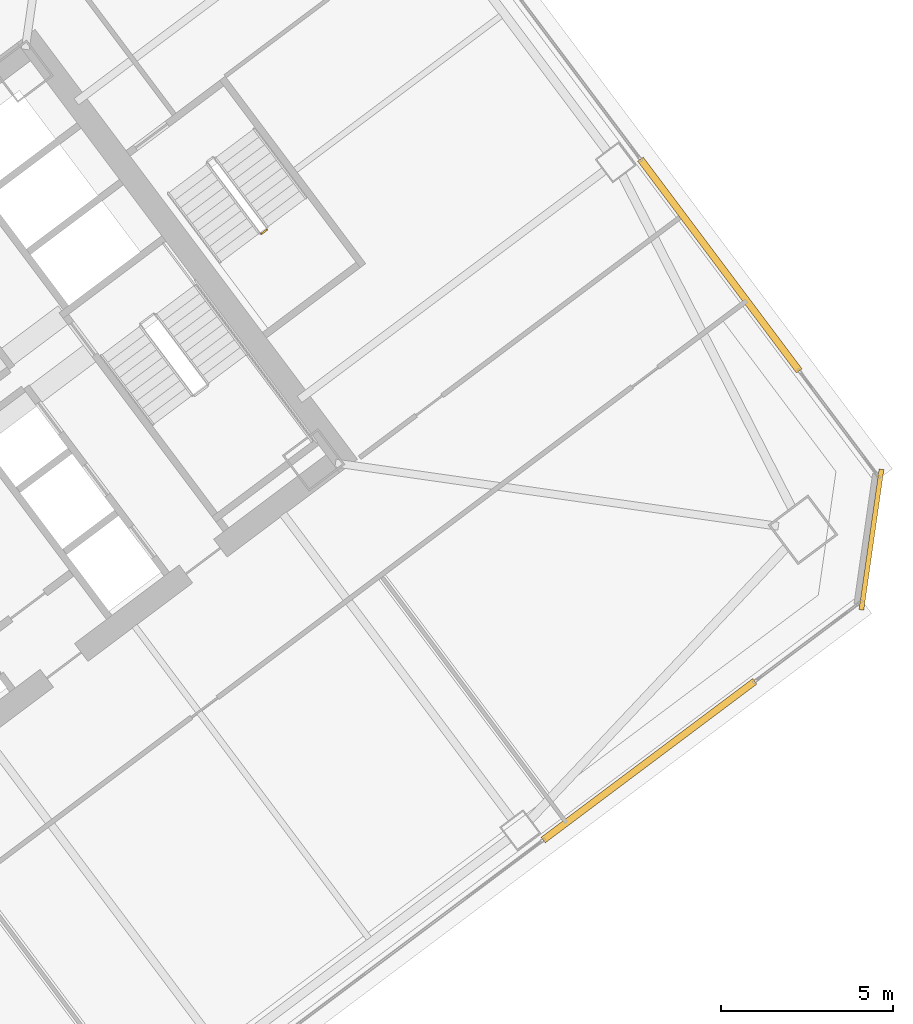
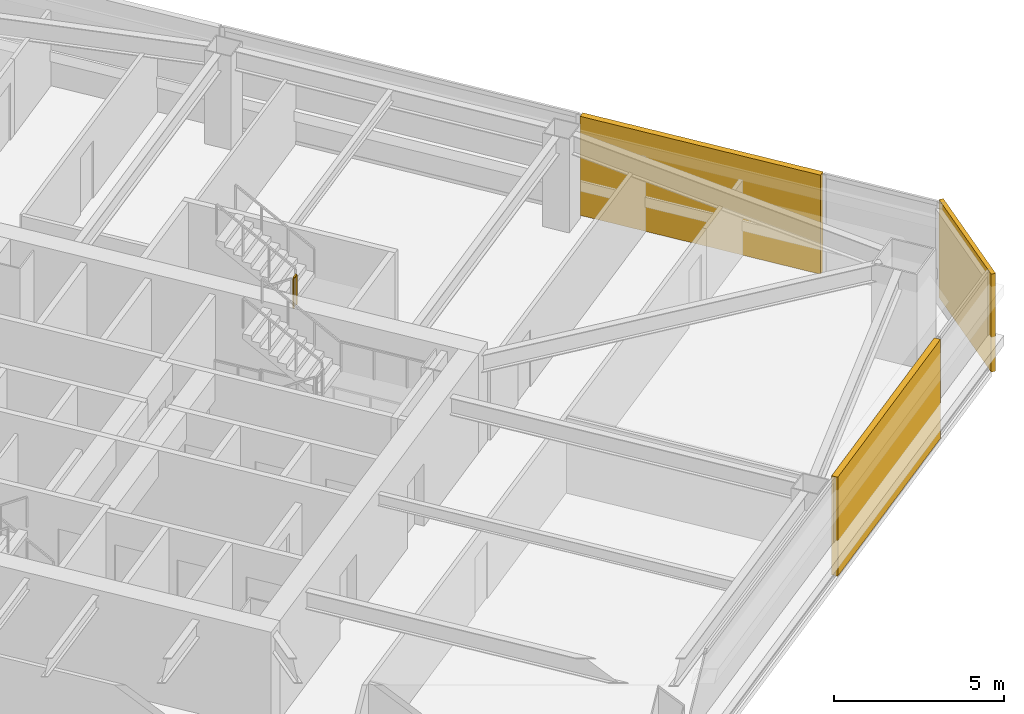
# One storey, part 42 of 44: 3 coverings, 1 railing.
"""IFC4 building model written with IfcOpenShell, lengths in metres."""

from ifc_helpers import new_model, si_unit, direction, frame, origin, origin_2d, place, context, subcontext, project, spatial, rectangle, extrude, material, layer, layer_set, type_object, element, save


model = new_model("IFC4")

# Units and contexts
model_context = context("Model", 3, precision=1e-05, world=origin(), true_north=direction((0.0, 1.0)))
body_context = subcontext(model_context, "Body", "Model", "MODEL_VIEW")
ifc_project = project(units=[si_unit("LENGTHUNIT", "METRE"), si_unit("AREAUNIT", "SQUARE_METRE"), si_unit("VOLUMEUNIT", "CUBIC_METRE"), si_unit("PLANEANGLEUNIT", "RADIAN"), si_unit("MASSUNIT", "GRAM", prefix="KILO")], contexts=[model_context])

# Site, building, storey
site_placement = place(None, origin())
site = spatial("IfcSite", under=ifc_project, at=site_placement, CompositionType="ELEMENT")
building_placement = place(site_placement, origin())
building = spatial("IfcBuilding", under=site, at=building_placement, Name="Tashvorn Skyway Center", CompositionType="ELEMENT")
storey_placement = place(building_placement, frame((0.0, 0.0, 84.949951171875)))
storey = spatial("IfcBuildingStorey", under=building, at=storey_placement, Name="L22", CompositionType="ELEMENT", Elevation=84.949951171875)

# Coverings
ifc_material_1 = material(Name="Precast concrete C40/50", Category="concrete")
ifc_layer_1 = layer(ifc_material_1, 0.199951171875)
ifc_layer_set_1 = layer_set([ifc_layer_1], Name="Precast concrete C40/50")
covering_type_1 = type_object("IfcCoveringType", Name="COV-BRACE-CLAD", PredefinedType="CLADDING", material=ifc_layer_set_1)
for number, where, z_axis, x_axis, name in (
    (1, (133.60791015625, 21.85595703125, 0.0), (0.0, 0.0, 1.0), (-0.799999996291, -0.600000004945, 0.0), "Tower 2 L22 South Unitised Curtain Wall Mega-Brace Cladding Band 1"),
    (2, (135.6640625, 36.248046875, 0.0), (0.0, 0.0, 1.0), (0.600000004945, -0.799999996291, 0.0), "Tower 2 L22 East Unitised Curtain Wall Mega-Brace Cladding Band 2"),
):
    element("IfcCovering", number, at=place(storey_placement, frame(where, z_axis=z_axis, x_axis=x_axis)), inside=storey, type_object=covering_type_1, Name=name, PredefinedType="CLADDING", context=body_context, shape_type="SweptSolid", body=[
        extrude(rectangle(XDim=7.679931640625, YDim=0.199951171875, at=origin_2d()), origin(), (0.0, 0.0, 1.0), 3.550048828125),
    ])
ifc_layer_2 = layer(ifc_material_1, 0.35009765625)
ifc_layer_set_2 = layer_set([ifc_layer_2], Name="Precast concrete C40/50")
covering_type_2 = type_object("IfcCoveringType", Name="COV-STONE-TRIM", PredefinedType="CLADDING", material=ifc_layer_set_2)
covering_placement = place(storey_placement, frame((140.068115234375, 28.27587890625, 0.02001953125), z_axis=(0.0, 0.0, 1.0), x_axis=(0.141421350118, 0.989949494535, 0.0)))
element("IfcCovering", 3, at=covering_placement, inside=storey, type_object=covering_type_2, Name="Tower 2 L22 SE Mojave Limestone Corner Quoin", PredefinedType="CLADDING", context=body_context, shape_type="SweptSolid", body=[
    extrude(rectangle(XDim=4.119873046875, YDim=0.139892578125, at=origin_2d()), origin(), (0.0, 0.0, 1.0), 3.510009765625),
])

# Railing
ifc_material_2 = material(Name="Painted galvanized steel S355", Category="steel")
railing_type = type_object("IfcRailingType", Name="RAIL-STGUARD-1100", PredefinedType="GUARDRAIL", material=ifc_material_2)
railing_placement = place(storey_placement, frame((122.35791015625, 37.156005859375, 1.775146484375)))
element("IfcRailing", 4, at=railing_placement, inside=storey, type_object=railing_type, Name="L22 ST-T2-3 stair guard 2", PredefinedType="GUARDRAIL", context=body_context, shape_type="SweptSolid", body=[
    extrude(rectangle(XDim=0.048095703125, YDim=0.048095703125, at=origin_2d()), frame((0.0, 0.0, 1.076171875), z_axis=(0.800585412921, 0.599218655098, 0.0), x_axis=(-0.599218655098, 0.800585412921, 0.0)), (0.0, 0.0, 1.0), 0.199951171875),
    extrude(rectangle(XDim=0.0419921875, YDim=0.0419921875, at=origin_2d()), origin(), (0.0, 0.0, 1.0), 1.052001953125),
    extrude(rectangle(XDim=0.0419921875, YDim=0.0419921875, at=origin_2d()), frame((0.16015625, 0.119873046875, 0.0)), (0.0, 0.0, 1.0), 1.052001953125),
])

save(model, "model.ifc")
